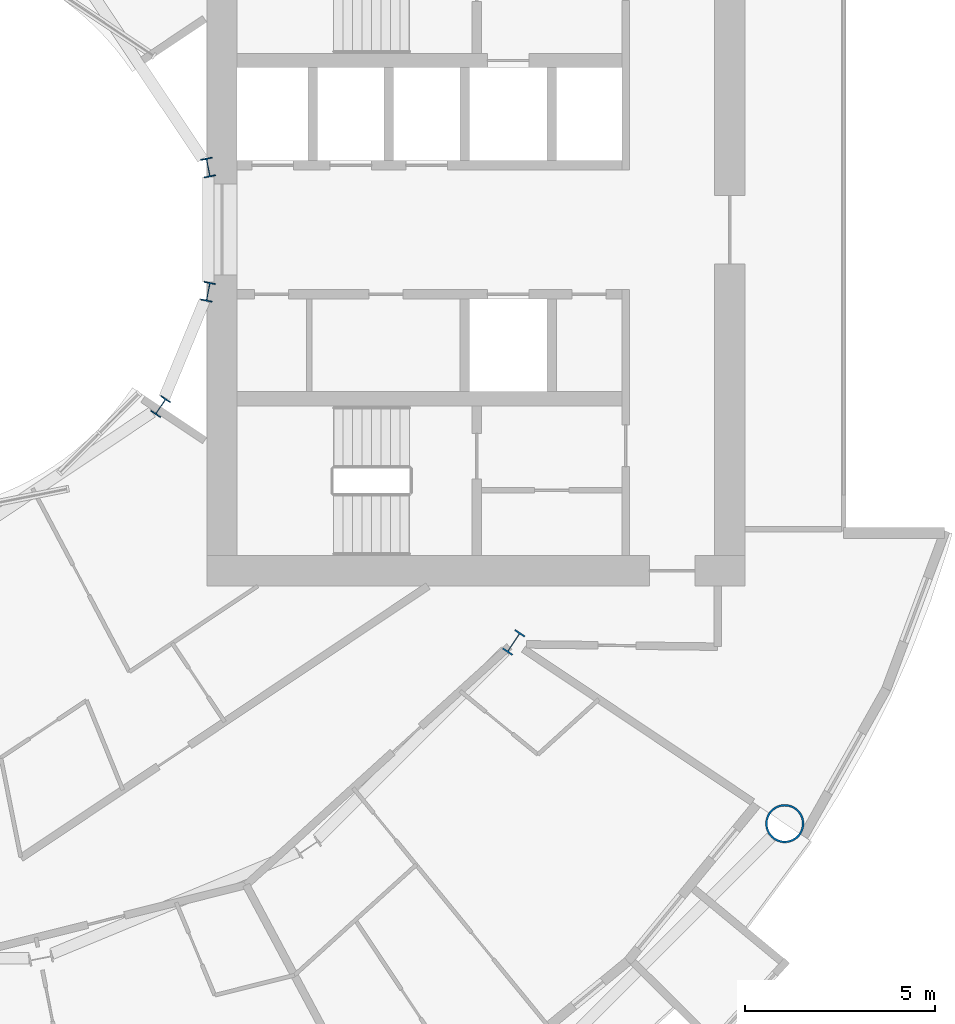
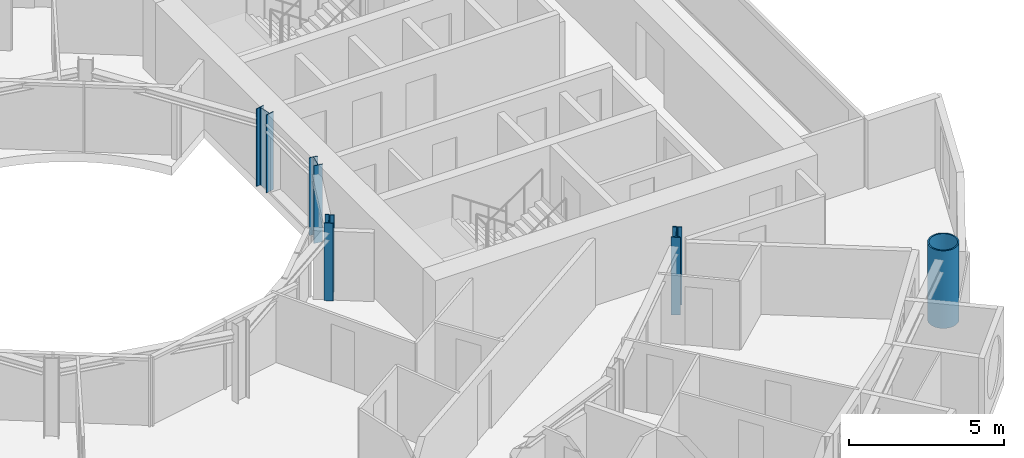
# One storey, part 2 of 26: 5 columns.
"""IFC4 building model written with IfcOpenShell, lengths in metres."""

from ifc_helpers import new_model, si_unit, direction, frame, origin, origin_2d, place, context, subcontext, project, spatial, hollow_circle, i_section, extrude, material, material_profile, profile_set, type_object, element, save


model = new_model("IFC4")

# Units and contexts
model_context = context("Model", 3, precision=1e-05, world=origin(), true_north=direction((0.0, 1.0)))
body_context = subcontext(model_context, "Body", "Model", "MODEL_VIEW")
ifc_project = project(units=[si_unit("LENGTHUNIT", "METRE"), si_unit("AREAUNIT", "SQUARE_METRE"), si_unit("VOLUMEUNIT", "CUBIC_METRE"), si_unit("PLANEANGLEUNIT", "RADIAN"), si_unit("MASSUNIT", "GRAM", prefix="KILO")], contexts=[model_context])

# Site, building, storey
site_placement = place(None, origin())
site = spatial("IfcSite", under=ifc_project, at=site_placement, CompositionType="ELEMENT")
building_placement = place(site_placement, origin())
building = spatial("IfcBuilding", under=site, at=building_placement, Name="Maasbend Ring Residences", CompositionType="ELEMENT")
storey_placement = place(building_placement, frame((0.0, 0.0, 28.89990234375)))
storey = spatial("IfcBuildingStorey", under=building, at=storey_placement, Name="L07", CompositionType="ELEMENT", Elevation=28.89990234375)

# Columns
ifc_material_1 = material(Name="Composite concrete-filled steel tube S460NH / C80/95", Category="concrete")
ifc_material_profile_1 = material_profile(ifc_material_1, hollow_circle(Radius=0.508056640625, WallThickness=0.050048828125, at=origin_2d()), Name="Composite tube column CHS 1016x50")
ifc_profile_set_1 = profile_set([ifc_material_profile_1], Name="Composite concrete-filled steel tube S460NH / C80/95")
column_type_1 = type_object("IfcColumnType", Name="Composite tube column CHS 1016x50", PredefinedType="COLUMN", material=ifc_profile_set_1)
column_1_placement = place(storey_placement, frame((23.447509765625, -15.6669921875, 0.0), z_axis=(0.0, 0.0, 1.0), x_axis=(1.0, 0.0, 0.0)))
element("IfcColumn", 1, at=column_1_placement, inside=storey, type_object=column_type_1, Name="Outer column R15", PredefinedType="COLUMN", context=body_context, shape_type="SweptSolid", body=[
    extrude(hollow_circle(Radius=0.508056640625, WallThickness=0.050048828125, at=origin_2d()), origin(), (0.0, 0.0, 1.0), 3.050048828125),
])
ifc_material_2 = material(Name="Steel S355J2", Category="steel")
ifc_material_profile_2 = material_profile(ifc_material_2, i_section(OverallWidth=0.300048828125, OverallDepth=0.5, WebThickness=0.014404296875, FlangeThickness=0.028076171875, FilletRadius=0.027099609375, at=origin_2d()), Name="HEB 500")
ifc_profile_set_2 = profile_set([ifc_material_profile_2], Name="Steel S355J2")
column_type_2 = type_object("IfcColumnType", Name="Steel column HEB 500", PredefinedType="COLUMN", material=ifc_profile_set_2)
for number, where, z_axis, x_axis, name in (
    (2, (8.238525390625, 1.638916015625, 0.0), (0.0, 0.0, 1.0), (0.980785280403, 0.195090322016, 0.0), "Well ring column R1"),
    (3, (6.984375, -4.666748046875, 0.0), (0.0, 0.0, 1.0), (0.831469612303, -0.55557023302, 0.0), "Well ring column R15"),
    (4, (8.238525390625, -1.638916015625, 0.0), (0.0, 0.0, 1.0), (0.980785280403, -0.195090322016, 0.0), "Well ring column R16"),
):
    element("IfcColumn", number, at=place(storey_placement, frame(where, z_axis=z_axis, x_axis=x_axis)), inside=storey, type_object=column_type_2, Name=name, PredefinedType="COLUMN", context=body_context, shape_type="SweptSolid", body=[
        extrude(i_section(OverallWidth=0.300048828125, OverallDepth=0.5, WebThickness=0.014404296875, FlangeThickness=0.028076171875, FilletRadius=0.027099609375, at=origin_2d()), origin(), (0.0, 0.0, 1.0), 3.050048828125),
    ])
ifc_material_3 = material(Name="Steel S460M", Category="steel")
ifc_material_profile_3 = material_profile(ifc_material_3, i_section(OverallWidth=0.304931640625, OverallDepth=0.6201171875, WebThickness=0.02099609375, FlangeThickness=0.0400390625, FilletRadius=0.027099609375, at=origin_2d()), Name="HEM 600")
ifc_profile_set_3 = profile_set([ifc_material_profile_3], Name="Steel S460M")
column_type_3 = type_object("IfcColumnType", Name="Steel column HEM 600", PredefinedType="COLUMN", material=ifc_profile_set_3)
column_2_placement = place(storey_placement, frame((16.296875, -10.88916015625, 0.0), z_axis=(0.0, 0.0, 1.0), x_axis=(0.831469612303, -0.55557023302, 0.0)))
element("IfcColumn", 5, at=column_2_placement, inside=storey, type_object=column_type_3, Name="Corridor ring column R15", PredefinedType="COLUMN", context=body_context, shape_type="SweptSolid", body=[
    extrude(i_section(OverallWidth=0.304931640625, OverallDepth=0.6201171875, WebThickness=0.02099609375, FlangeThickness=0.0400390625, FilletRadius=0.027099609375, at=origin_2d()), origin(), (0.0, 0.0, 1.0), 3.050048828125),
])

save(model, "model.ifc")
